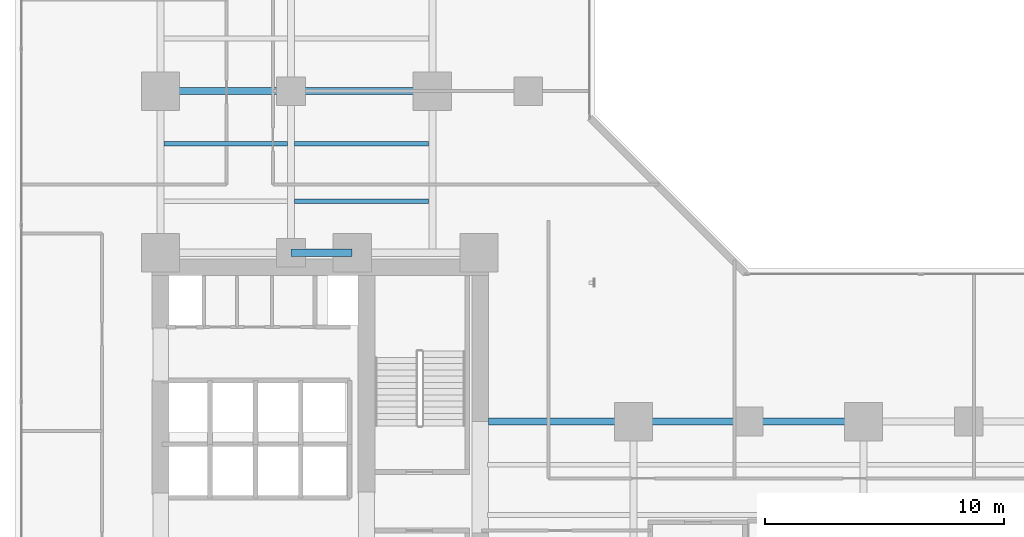
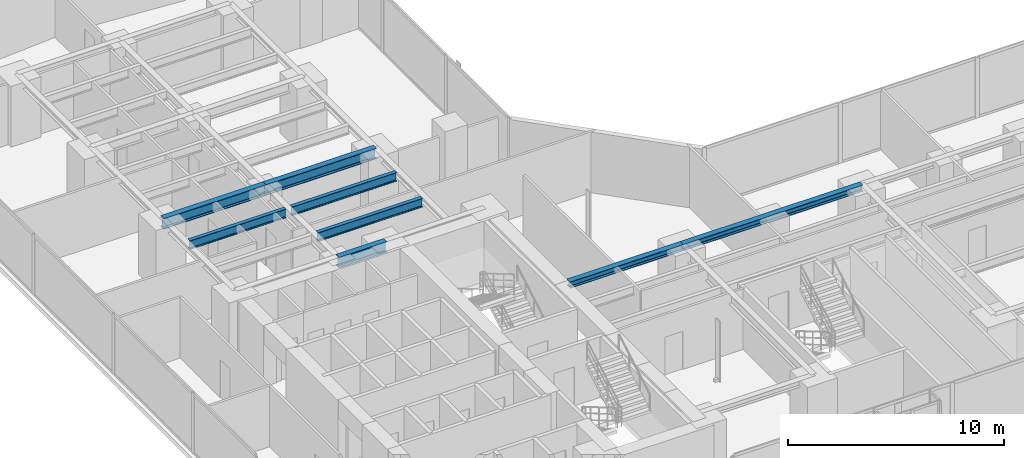
# One storey, part 7 of 28: 8 beams.
"""IFC4 building model written with IfcOpenShell, lengths in metres."""

import ifcopenshell
import ifcopenshell.guid

model = None  # the IFC model being written
_history = None  # IfcOwnerHistory: only IFC2X3 demands one
_inside = {}  # id of a spatial element -> (the spatial element, [elements in it])
_under = {}  # id of a project, library or spatial element -> (it, [spatial elements below it])
_declared = {}  # id of a project -> (the project, [libraries it declares])
_typed = {}  # id of a type object -> (the type object, [elements of that type])
_made_of = {}  # id of a material, layer set ... -> (it, [elements and type objects made of it])


def new_model(schema):
    """Start an empty IFC model of exactly this schema.

    Asked for "IFC4X3", IfcOpenShell would pick the latest addendum, in which some entities
    have other attributes; the version numbers below select the first issue.
    IFC2X3 requires an IfcOwnerHistory on every rooted entity: one is made here for all.
    """
    global model, _history
    if schema == "IFC4X3":
        model = ifcopenshell.file(schema_version=(4, 3, 0, 0))
    else:
        model = ifcopenshell.file(schema=schema)
    _inside.clear()
    _under.clear()
    _declared.clear()
    _typed.clear()
    _made_of.clear()
    _history = None
    if model.schema == "IFC2X3":
        org = make("IfcOrganization", Name="unknown")
        user = make(
            "IfcPersonAndOrganization",
            ThePerson=make("IfcPerson", FamilyName="unknown"),
            TheOrganization=org,
        )
        app = make(
            "IfcApplication",
            ApplicationDeveloper=org,
            Version="unknown",
            ApplicationFullName="unknown",
            ApplicationIdentifier="unknown",
        )
        _history = make(
            "IfcOwnerHistory",
            OwningUser=user,
            OwningApplication=app,
            ChangeAction="ADDED",
            CreationDate=0,
        )
    return model


def make(cls, **values):
    """One entity of the class cls with the attributes given. An attribute that is None is left unset."""
    return model.create_entity(
        cls, **{name: value for name, value in values.items() if value is not None}
    )


def rooted(cls, **values):
    """An entity with a GlobalId (a new one), such as an element, a storey or a relation."""
    return make(cls, GlobalId=ifcopenshell.guid.new(), OwnerHistory=_history, **values)


def si_unit(unit_type, name, prefix=None):
    """IfcSIUnit, for example si_unit("LENGTHUNIT", "METRE", prefix="MILLI")."""
    return make("IfcSIUnit", UnitType=unit_type, Prefix=prefix, Name=name)


def assignment(units):
    """IfcUnitAssignment: the units of a project."""
    return None if units is None else make("IfcUnitAssignment", Units=units)


def point(xyz):
    """IfcCartesianPoint."""
    return None if xyz is None else make("IfcCartesianPoint", Coordinates=xyz)


def direction(xyz):
    """IfcDirection."""
    return None if xyz is None else make("IfcDirection", DirectionRatios=xyz)


def frame(location, z_axis=None, x_axis=None):
    """IfcAxis2Placement3D, a coordinate frame: its origin and axes. An axis left out is left unset."""
    return make(
        "IfcAxis2Placement3D",
        Location=point(location),
        Axis=direction(z_axis),
        RefDirection=direction(x_axis),
    )


def frame_2d(location, x_axis=None):
    """IfcAxis2Placement2D, a coordinate frame in the plane: its origin and x axis."""
    return make(
        "IfcAxis2Placement2D", Location=point(location), RefDirection=direction(x_axis)
    )


def origin():
    """The frame at (0, 0, 0) with its axes left unset."""
    return frame((0.0, 0.0, 0.0))


def origin_2d():
    """The frame at (0, 0) in the plane with its x axis left unset."""
    return frame_2d((0.0, 0.0))


def place(relative_to, where):
    """IfcLocalPlacement: puts the frame where relative to a parent placement (None: the world)."""
    return make(
        "IfcLocalPlacement", PlacementRelTo=relative_to, RelativePlacement=where
    )


def context(
    kind, dimensions, precision=None, world=None, true_north=None, identifier=None
):
    """IfcGeometricRepresentationContext, for example the 3D "Model" context."""
    return make(
        "IfcGeometricRepresentationContext",
        ContextIdentifier=identifier,
        ContextType=kind,
        CoordinateSpaceDimension=dimensions,
        Precision=precision,
        WorldCoordinateSystem=world,
        TrueNorth=true_north,
    )


def subcontext(parent, identifier, kind, view, scale=None):
    """IfcGeometricRepresentationSubContext, for example "Body" below "Model"."""
    return make(
        "IfcGeometricRepresentationSubContext",
        ContextIdentifier=identifier,
        ContextType=kind,
        ParentContext=parent,
        TargetScale=scale,
        TargetView=view,
    )


def project(units=None, contexts=None):
    """IfcProject with its units and contexts."""
    return rooted(
        "IfcProject",
        Name="project",
        RepresentationContexts=contexts,
        UnitsInContext=assignment(units),
    )


def spatial(cls, under=None, at=None, **own):
    """A site, building, storey or space (cls), placed at a placement, below another one or the project."""
    s = rooted(cls, ObjectPlacement=at, **own)
    if under is not None:
        _under.setdefault(under.id(), (under, []))[1].append(s)
    return s


def profile(cls, at=None, kind="AREA", **sizes):
    """A parametric profile (cls). Its sizes go by their IFC names, for example OverallWidth=200.0."""
    return make(cls, ProfileType=kind, Position=at, **sizes)


def i_section(**sizes):
    """IfcIShapeProfileDef."""
    return profile("IfcIShapeProfileDef", **sizes)


def extrude(swept, where, along, depth):
    """IfcExtrudedAreaSolid: the profile swept, set in the frame where, extruded along a direction by depth."""
    return make(
        "IfcExtrudedAreaSolid",
        SweptArea=swept,
        Position=where,
        ExtrudedDirection=direction(along),
        Depth=depth,
    )


def shape(context_of_items, identifier, shape_type, items):
    """IfcShapeRepresentation: the items that make up one representation, for example the "Body"."""
    return make(
        "IfcShapeRepresentation",
        ContextOfItems=context_of_items,
        RepresentationIdentifier=identifier,
        RepresentationType=shape_type,
        Items=items,
    )


def material(Name=None, Category=None):
    """IfcMaterial."""
    return make("IfcMaterial", Name=Name, Category=Category)


def material_profile(
    of_material, cross_section, Name=None, Category=None, Priority=None
):
    """IfcMaterialProfile: a cross section and its material."""
    return make(
        "IfcMaterialProfile",
        Name=Name,
        Material=of_material,
        Profile=cross_section,
        Priority=Priority,
        Category=Category,
    )


def profile_set(profiles, Name=None, composite=None):
    """IfcMaterialProfileSet."""
    return make(
        "IfcMaterialProfileSet",
        Name=Name,
        MaterialProfiles=profiles,
        CompositeProfile=composite,
    )


def made_of(thing, what):
    """Note that an element or type object is made of a material, layer set ...; save() writes the relation."""
    if what is not None:
        _made_of.setdefault(what.id(), (what, []))[1].append(thing)
    return thing


def type_object(cls, material=None, **own):
    """A type object (cls), such as IfcWallType, which elements share."""
    return made_of(rooted(cls, **own), material)


def element(
    cls,
    number,
    at=None,
    inside=None,
    cuts=None,
    type_object=None,
    material=None,
    context=None,
    identifier="Body",
    shape_type=None,
    held_by="IfcProductDefinitionShape",
    body=None,
    shapes=None,
    **own,
):
    """One element of the class cls, such as IfcWall. Its Tag is "e" and its number.

    at: its placement. inside: the storey or other place that contains it. cuts: it is an
    opening in that element (IfcRelVoidsElement). A single representation is given by context,
    identifier, shape_type and body (its items); several are given by shapes. held_by: the class
    of the entity that holds the representations. save() writes the other relations.
    """
    e = rooted(cls, Tag="e%d" % number, ObjectPlacement=at, **own)
    if body is not None:
        shapes = [shape(context, identifier, shape_type, body)]
    if shapes is not None:
        e.Representation = make(held_by, Representations=shapes)
    if inside is not None:
        _inside.setdefault(inside.id(), (inside, []))[1].append(e)
    if cuts is not None:
        rooted(
            "IfcRelVoidsElement", RelatingBuildingElement=cuts, RelatedOpeningElement=e
        )
    if type_object is not None:
        _typed.setdefault(type_object.id(), (type_object, []))[1].append(e)
    return made_of(e, material)


def aggregate(whole, parts):
    """IfcRelAggregates: a whole, such as a stair, and the parts it consists of."""
    return rooted("IfcRelAggregates", RelatingObject=whole, RelatedObjects=parts)


def save(model, path):
    """Write the relations noted so far, then the file.

    IfcRelAggregates (storeys below a building ...), IfcRelContainedInSpatialStructure (elements
    in a storey), IfcRelDefinesByType, IfcRelAssociatesMaterial and IfcRelDeclares: one each for
    every whole, place, type object, material and project.
    """
    for whole, parts in _under.values():
        aggregate(whole, parts)
    for where, things in _inside.values():
        rooted(
            "IfcRelContainedInSpatialStructure",
            RelatedElements=things,
            RelatingStructure=where,
        )
    for kind, things in _typed.values():
        rooted("IfcRelDefinesByType", RelatedObjects=things, RelatingType=kind)
    for what, things in _made_of.values():
        rooted("IfcRelAssociatesMaterial", RelatedObjects=things, RelatingMaterial=what)
    for by, libraries in _declared.values():
        rooted("IfcRelDeclares", RelatingContext=by, RelatedDefinitions=libraries)
    model.write(path)


model = new_model("IFC4")

# Units and contexts
model_context = context("Model", 3, precision=1e-05, world=origin(), true_north=direction((0.0, 1.0)))
body_context = subcontext(model_context, "Body", "Model", "MODEL_VIEW")
ifc_project = project(units=[si_unit("LENGTHUNIT", "METRE"), si_unit("AREAUNIT", "SQUARE_METRE"), si_unit("VOLUMEUNIT", "CUBIC_METRE"), si_unit("PLANEANGLEUNIT", "RADIAN"), si_unit("MASSUNIT", "GRAM", prefix="KILO")], contexts=[model_context])

# Site, building, storey
site_placement = place(None, origin())
site = spatial("IfcSite", under=ifc_project, at=site_placement, CompositionType="ELEMENT")
building_placement = place(site_placement, origin())
building = spatial("IfcBuilding", under=site, at=building_placement, Name="Kolvaren Waterfront Exchange", CompositionType="ELEMENT")
storey_placement = place(building_placement, frame((0.0, 0.0, 79.0)))
storey = spatial("IfcBuildingStorey", under=building, at=storey_placement, Name="L20", CompositionType="ELEMENT", Elevation=79.0)

# Beams
ifc_material = material(Name="Steel S355", Category="steel")
ifc_material_profile_1 = material_profile(ifc_material, i_section(OverallWidth=0.300048828125, OverallDepth=0.360107421875, WebThickness=0.012451171875, FlangeThickness=0.0224609375, FilletRadius=0.027099609375, at=origin_2d()), Name="HEB360")
ifc_profile_set_1 = profile_set([ifc_material_profile_1], Name="Steel S355")
beam_type_1 = type_object("IfcBeamType", Name="STR-BM-HEB360", PredefinedType="SPANDREL", material=ifc_profile_set_1)
beam_1_placement = place(storey_placement, frame((21.14990234375, 17.39990234375, 3.239990234375), z_axis=(1.0, 0.0, 0.0), x_axis=(0.0, 1.0, 0.0)))
element("IfcBeam", 1, at=beam_1_placement, inside=storey, type_object=beam_type_1, Name="L20 east-arm spandrel N1", PredefinedType="SPANDREL", context=body_context, shape_type="SweptSolid", body=[
    extrude(i_section(OverallWidth=0.300048828125, OverallDepth=0.360107421875, WebThickness=0.012451171875, FlangeThickness=0.0224609375, FilletRadius=0.027099609375, at=origin_2d()), origin(), (0.0, 0.0, 1.0), 6.050048828125),
])
beam_2_placement = place(storey_placement, frame((27.199951171875, 17.39990234375, 3.239990234375), z_axis=(1.0, 0.0, 0.0), x_axis=(0.0, 1.0, 0.0)))
element("IfcBeam", 2, at=beam_2_placement, inside=storey, type_object=beam_type_1, Name="L20 east-arm spandrel N2", PredefinedType="SPANDREL", context=body_context, shape_type="SweptSolid", body=[
    extrude(i_section(OverallWidth=0.300048828125, OverallDepth=0.360107421875, WebThickness=0.012451171875, FlangeThickness=0.0224609375, FilletRadius=0.027099609375, at=origin_2d()), origin(), (0.0, 0.0, 1.0), 9.60009765625),
])
ifc_material_profile_2 = material_profile(ifc_material, i_section(OverallWidth=0.300048828125, OverallDepth=0.60009765625, WebThickness=0.015380859375, FlangeThickness=0.030029296875, FilletRadius=0.027099609375, at=origin_2d()), Name="HEB600")
ifc_profile_set_2 = profile_set([ifc_material_profile_2], Name="Steel S355")
beam_type_2 = type_object("IfcBeamType", Name="STR-BM-HEB600", PredefinedType="BEAM", material=ifc_profile_set_2)
beam_3_placement = place(storey_placement, frame((12.89990234375, 24.449951171875, 3.1201171875), z_axis=(1.0, 0.0, 0.0), x_axis=(0.0, 1.0, 0.0)))
element("IfcBeam", 3, at=beam_3_placement, inside=storey, type_object=beam_type_2, Name="L20 north-arm girder 1B", PredefinedType="BEAM", context=body_context, shape_type="SweptSolid", body=[
    extrude(i_section(OverallWidth=0.300048828125, OverallDepth=0.60009765625, WebThickness=0.015380859375, FlangeThickness=0.030029296875, FilletRadius=0.027099609375, at=origin_2d()), origin(), (0.0, 0.0, 1.0), 2.550048828125),
])
beam_4_placement = place(storey_placement, frame((7.449951171875, 31.199951171875, 3.1201171875), z_axis=(1.0, 0.0, 0.0), x_axis=(0.0, 1.0, 0.0)))
element("IfcBeam", 4, at=beam_4_placement, inside=storey, type_object=beam_type_2, Name="L20 north-arm girder 2A", PredefinedType="BEAM", context=body_context, shape_type="SweptSolid", body=[
    extrude(i_section(OverallWidth=0.300048828125, OverallDepth=0.60009765625, WebThickness=0.015380859375, FlangeThickness=0.030029296875, FilletRadius=0.027099609375, at=origin_2d()), origin(), (0.0, 0.0, 1.0), 5.449951171875),
])
beam_5_placement = place(storey_placement, frame((12.89990234375, 31.199951171875, 3.1201171875), z_axis=(1.0, 0.0, 0.0), x_axis=(0.0, 1.0, 0.0)))
element("IfcBeam", 5, at=beam_5_placement, inside=storey, type_object=beam_type_2, Name="L20 north-arm girder 2B", PredefinedType="BEAM", context=body_context, shape_type="SweptSolid", body=[
    extrude(i_section(OverallWidth=0.300048828125, OverallDepth=0.60009765625, WebThickness=0.015380859375, FlangeThickness=0.030029296875, FilletRadius=0.027099609375, at=origin_2d()), origin(), (0.0, 0.0, 1.0), 5.900146484375),
])
ifc_material_profile_3 = material_profile(ifc_material, i_section(OverallWidth=0.199951171875, OverallDepth=0.5, WebThickness=0.01025390625, FlangeThickness=0.01611328125, FilletRadius=0.02099609375, at=origin_2d()), Name="IPE500")
ifc_profile_set_3 = profile_set([ifc_material_profile_3], Name="Steel S355")
beam_type_3 = type_object("IfcBeamType", Name="STR-BM-IPE500", PredefinedType="JOIST", material=ifc_profile_set_3)
beam_6_placement = place(storey_placement, frame((13.052001953125, 26.60009765625, 3.169921875), z_axis=(1.0, 0.0, 0.0), x_axis=(0.0, 1.0, 0.0)))
element("IfcBeam", 6, at=beam_6_placement, inside=storey, type_object=beam_type_3, Name="L20 north-arm composite joist 1B", PredefinedType="JOIST", context=body_context, shape_type="SweptSolid", body=[
    extrude(i_section(OverallWidth=0.199951171875, OverallDepth=0.5, WebThickness=0.01025390625, FlangeThickness=0.01611328125, FilletRadius=0.02099609375, at=origin_2d()), origin(), (0.0, 0.0, 1.0), 5.595947265625),
])
beam_7_placement = place(storey_placement, frame((7.60205078125, 29.0, 3.169921875), z_axis=(1.0, 0.0, 0.0), x_axis=(0.0, 1.0, 0.0)))
element("IfcBeam", 7, at=beam_7_placement, inside=storey, type_object=beam_type_3, Name="L20 north-arm composite joist 2A", PredefinedType="JOIST", context=body_context, shape_type="SweptSolid", body=[
    extrude(i_section(OverallWidth=0.199951171875, OverallDepth=0.5, WebThickness=0.01025390625, FlangeThickness=0.01611328125, FilletRadius=0.02099609375, at=origin_2d()), origin(), (0.0, 0.0, 1.0), 5.14599609375),
])
beam_8_placement = place(storey_placement, frame((13.052001953125, 29.0, 3.169921875), z_axis=(1.0, 0.0, 0.0), x_axis=(0.0, 1.0, 0.0)))
element("IfcBeam", 8, at=beam_8_placement, inside=storey, type_object=beam_type_3, Name="L20 north-arm composite joist 2B", PredefinedType="JOIST", context=body_context, shape_type="SweptSolid", body=[
    extrude(i_section(OverallWidth=0.199951171875, OverallDepth=0.5, WebThickness=0.01025390625, FlangeThickness=0.01611328125, FilletRadius=0.02099609375, at=origin_2d()), origin(), (0.0, 0.0, 1.0), 5.595947265625),
])

save(model, "model.ifc")
